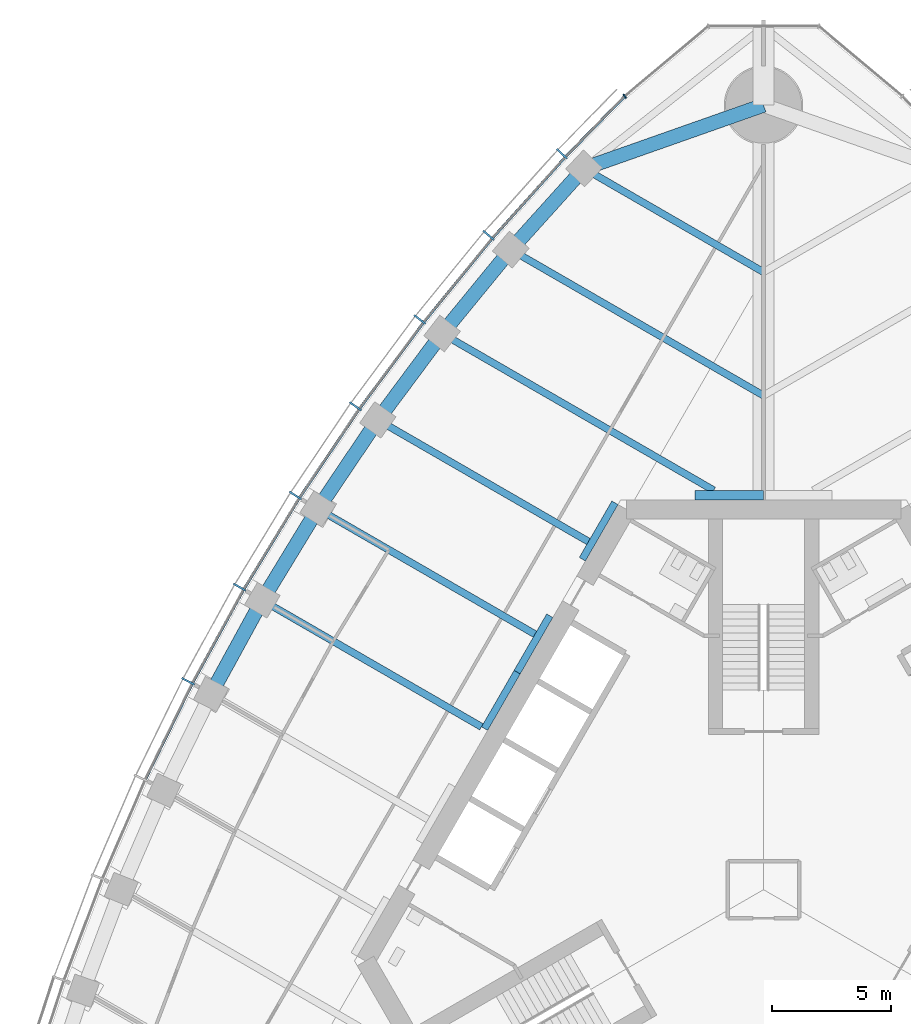
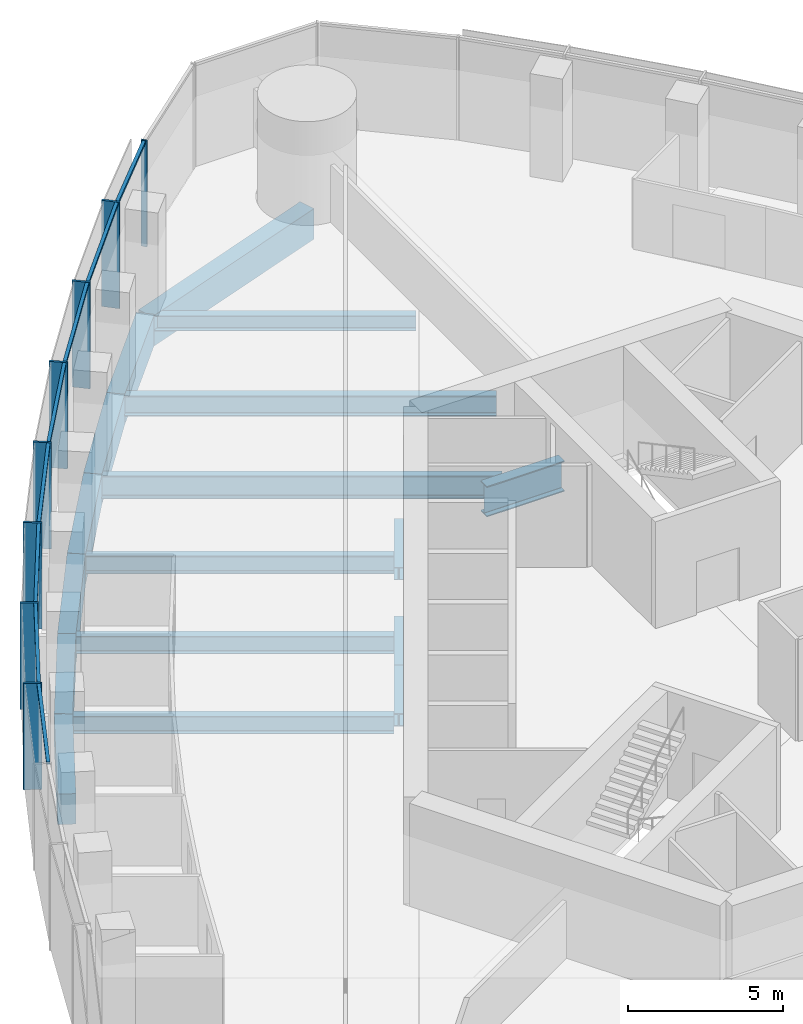
# One storey, part 5 of 20: 17 beams, 16 members, 2 elements without a shape of their own.
"""IFC4 building model written with IfcOpenShell, lengths in metres."""

import ifcopenshell
import ifcopenshell.guid

model = None  # the IFC model being written
_history = None  # IfcOwnerHistory: only IFC2X3 demands one
_inside = {}  # id of a spatial element -> (the spatial element, [elements in it])
_under = {}  # id of a project, library or spatial element -> (it, [spatial elements below it])
_declared = {}  # id of a project -> (the project, [libraries it declares])
_typed = {}  # id of a type object -> (the type object, [elements of that type])
_made_of = {}  # id of a material, layer set ... -> (it, [elements and type objects made of it])


def new_model(schema):
    """Start an empty IFC model of exactly this schema.

    Asked for "IFC4X3", IfcOpenShell would pick the latest addendum, in which some entities
    have other attributes; the version numbers below select the first issue.
    IFC2X3 requires an IfcOwnerHistory on every rooted entity: one is made here for all.
    """
    global model, _history
    if schema == "IFC4X3":
        model = ifcopenshell.file(schema_version=(4, 3, 0, 0))
    else:
        model = ifcopenshell.file(schema=schema)
    _inside.clear()
    _under.clear()
    _declared.clear()
    _typed.clear()
    _made_of.clear()
    _history = None
    if model.schema == "IFC2X3":
        org = make("IfcOrganization", Name="unknown")
        user = make(
            "IfcPersonAndOrganization",
            ThePerson=make("IfcPerson", FamilyName="unknown"),
            TheOrganization=org,
        )
        app = make(
            "IfcApplication",
            ApplicationDeveloper=org,
            Version="unknown",
            ApplicationFullName="unknown",
            ApplicationIdentifier="unknown",
        )
        _history = make(
            "IfcOwnerHistory",
            OwningUser=user,
            OwningApplication=app,
            ChangeAction="ADDED",
            CreationDate=0,
        )
    return model


def make(cls, **values):
    """One entity of the class cls with the attributes given. An attribute that is None is left unset."""
    return model.create_entity(
        cls, **{name: value for name, value in values.items() if value is not None}
    )


def rooted(cls, **values):
    """An entity with a GlobalId (a new one), such as an element, a storey or a relation."""
    return make(cls, GlobalId=ifcopenshell.guid.new(), OwnerHistory=_history, **values)


def si_unit(unit_type, name, prefix=None):
    """IfcSIUnit, for example si_unit("LENGTHUNIT", "METRE", prefix="MILLI")."""
    return make("IfcSIUnit", UnitType=unit_type, Prefix=prefix, Name=name)


def assignment(units):
    """IfcUnitAssignment: the units of a project."""
    return None if units is None else make("IfcUnitAssignment", Units=units)


def point(xyz):
    """IfcCartesianPoint."""
    return None if xyz is None else make("IfcCartesianPoint", Coordinates=xyz)


def direction(xyz):
    """IfcDirection."""
    return None if xyz is None else make("IfcDirection", DirectionRatios=xyz)


def frame(location, z_axis=None, x_axis=None):
    """IfcAxis2Placement3D, a coordinate frame: its origin and axes. An axis left out is left unset."""
    return make(
        "IfcAxis2Placement3D",
        Location=point(location),
        Axis=direction(z_axis),
        RefDirection=direction(x_axis),
    )


def frame_2d(location, x_axis=None):
    """IfcAxis2Placement2D, a coordinate frame in the plane: its origin and x axis."""
    return make(
        "IfcAxis2Placement2D", Location=point(location), RefDirection=direction(x_axis)
    )


def origin():
    """The frame at (0, 0, 0) with its axes left unset."""
    return frame((0.0, 0.0, 0.0))


def origin_2d():
    """The frame at (0, 0) in the plane with its x axis left unset."""
    return frame_2d((0.0, 0.0))


def place(relative_to, where):
    """IfcLocalPlacement: puts the frame where relative to a parent placement (None: the world)."""
    return make(
        "IfcLocalPlacement", PlacementRelTo=relative_to, RelativePlacement=where
    )


def context(
    kind, dimensions, precision=None, world=None, true_north=None, identifier=None
):
    """IfcGeometricRepresentationContext, for example the 3D "Model" context."""
    return make(
        "IfcGeometricRepresentationContext",
        ContextIdentifier=identifier,
        ContextType=kind,
        CoordinateSpaceDimension=dimensions,
        Precision=precision,
        WorldCoordinateSystem=world,
        TrueNorth=true_north,
    )


def subcontext(parent, identifier, kind, view, scale=None):
    """IfcGeometricRepresentationSubContext, for example "Body" below "Model"."""
    return make(
        "IfcGeometricRepresentationSubContext",
        ContextIdentifier=identifier,
        ContextType=kind,
        ParentContext=parent,
        TargetScale=scale,
        TargetView=view,
    )


def project(units=None, contexts=None):
    """IfcProject with its units and contexts."""
    return rooted(
        "IfcProject",
        Name="project",
        RepresentationContexts=contexts,
        UnitsInContext=assignment(units),
    )


def spatial(cls, under=None, at=None, **own):
    """A site, building, storey or space (cls), placed at a placement, below another one or the project."""
    s = rooted(cls, ObjectPlacement=at, **own)
    if under is not None:
        _under.setdefault(under.id(), (under, []))[1].append(s)
    return s


def profile(cls, at=None, kind="AREA", **sizes):
    """A parametric profile (cls). Its sizes go by their IFC names, for example OverallWidth=200.0."""
    return make(cls, ProfileType=kind, Position=at, **sizes)


def rectangle(**sizes):
    """IfcRectangleProfileDef."""
    return profile("IfcRectangleProfileDef", **sizes)


def i_section(**sizes):
    """IfcIShapeProfileDef."""
    return profile("IfcIShapeProfileDef", **sizes)


def extrude(swept, where, along, depth):
    """IfcExtrudedAreaSolid: the profile swept, set in the frame where, extruded along a direction by depth."""
    return make(
        "IfcExtrudedAreaSolid",
        SweptArea=swept,
        Position=where,
        ExtrudedDirection=direction(along),
        Depth=depth,
    )


def shape(context_of_items, identifier, shape_type, items):
    """IfcShapeRepresentation: the items that make up one representation, for example the "Body"."""
    return make(
        "IfcShapeRepresentation",
        ContextOfItems=context_of_items,
        RepresentationIdentifier=identifier,
        RepresentationType=shape_type,
        Items=items,
    )


def material(Name=None, Category=None):
    """IfcMaterial."""
    return make("IfcMaterial", Name=Name, Category=Category)


def material_profile(
    of_material, cross_section, Name=None, Category=None, Priority=None
):
    """IfcMaterialProfile: a cross section and its material."""
    return make(
        "IfcMaterialProfile",
        Name=Name,
        Material=of_material,
        Profile=cross_section,
        Priority=Priority,
        Category=Category,
    )


def profile_set(profiles, Name=None, composite=None):
    """IfcMaterialProfileSet."""
    return make(
        "IfcMaterialProfileSet",
        Name=Name,
        MaterialProfiles=profiles,
        CompositeProfile=composite,
    )


def made_of(thing, what):
    """Note that an element or type object is made of a material, layer set ...; save() writes the relation."""
    if what is not None:
        _made_of.setdefault(what.id(), (what, []))[1].append(thing)
    return thing


def type_object(cls, material=None, **own):
    """A type object (cls), such as IfcWallType, which elements share."""
    return made_of(rooted(cls, **own), material)


def element(
    cls,
    number,
    at=None,
    inside=None,
    cuts=None,
    type_object=None,
    material=None,
    context=None,
    identifier="Body",
    shape_type=None,
    held_by="IfcProductDefinitionShape",
    body=None,
    shapes=None,
    **own,
):
    """One element of the class cls, such as IfcWall. Its Tag is "e" and its number.

    at: its placement. inside: the storey or other place that contains it. cuts: it is an
    opening in that element (IfcRelVoidsElement). A single representation is given by context,
    identifier, shape_type and body (its items); several are given by shapes. held_by: the class
    of the entity that holds the representations. save() writes the other relations.
    """
    e = rooted(cls, Tag="e%d" % number, ObjectPlacement=at, **own)
    if body is not None:
        shapes = [shape(context, identifier, shape_type, body)]
    if shapes is not None:
        e.Representation = make(held_by, Representations=shapes)
    if inside is not None:
        _inside.setdefault(inside.id(), (inside, []))[1].append(e)
    if cuts is not None:
        rooted(
            "IfcRelVoidsElement", RelatingBuildingElement=cuts, RelatedOpeningElement=e
        )
    if type_object is not None:
        _typed.setdefault(type_object.id(), (type_object, []))[1].append(e)
    return made_of(e, material)


def aggregate(whole, parts):
    """IfcRelAggregates: a whole, such as a stair, and the parts it consists of."""
    return rooted("IfcRelAggregates", RelatingObject=whole, RelatedObjects=parts)


def save(model, path):
    """Write the relations noted so far, then the file.

    IfcRelAggregates (storeys below a building ...), IfcRelContainedInSpatialStructure (elements
    in a storey), IfcRelDefinesByType, IfcRelAssociatesMaterial and IfcRelDeclares: one each for
    every whole, place, type object, material and project.
    """
    for whole, parts in _under.values():
        aggregate(whole, parts)
    for where, things in _inside.values():
        rooted(
            "IfcRelContainedInSpatialStructure",
            RelatedElements=things,
            RelatingStructure=where,
        )
    for kind, things in _typed.values():
        rooted("IfcRelDefinesByType", RelatedObjects=things, RelatingType=kind)
    for what, things in _made_of.values():
        rooted("IfcRelAssociatesMaterial", RelatedObjects=things, RelatingMaterial=what)
    for by, libraries in _declared.values():
        rooted("IfcRelDeclares", RelatingContext=by, RelatedDefinitions=libraries)
    model.write(path)


model = new_model("IFC4")

# Units and contexts
model_context = context("Model", 3, precision=1e-05, world=origin(), true_north=direction((0.0, 1.0)))
body_context = subcontext(model_context, "Body", "Model", "MODEL_VIEW")
ifc_project = project(units=[si_unit("LENGTHUNIT", "METRE"), si_unit("AREAUNIT", "SQUARE_METRE"), si_unit("VOLUMEUNIT", "CUBIC_METRE"), si_unit("PLANEANGLEUNIT", "RADIAN"), si_unit("MASSUNIT", "GRAM", prefix="KILO")], contexts=[model_context])

# Site, building, storey
site_placement = place(None, origin())
site = spatial("IfcSite", under=ifc_project, at=site_placement, CompositionType="ELEMENT")
building_placement = place(site_placement, origin())
building = spatial("IfcBuilding", under=site, at=building_placement, Name="Trefoil Bronze Tower", CompositionType="ELEMENT")
storey_placement = place(building_placement, frame((0.0, 0.0, 219.10009765625)))
storey = spatial("IfcBuildingStorey", under=building, at=storey_placement, Name="L50", CompositionType="ELEMENT", Elevation=219.10009765625)

# Curtain wall, members
ifc_material_1 = material(Name="Tinted solar-control glass", Category="glass")
curtain_wall_type_1 = type_object("IfcCurtainWallType", Name="Bronze office curtain wall", PredefinedType="USERDEFINED", material=ifc_material_1)
curtain_wall_1_placement = place(storey_placement, origin())
curtain_wall_1 = element("IfcCurtainWall", 1, at=curtain_wall_1_placement, inside=storey, type_object=curtain_wall_type_1, Name="CW-A L50 F3", ObjectType="CURTAIN WALL", PredefinedType="USERDEFINED")
ifc_material_2 = material(Name="Bronze-finish aluminium", Category="aluminium")
ifc_material_profile_1 = material_profile(ifc_material_2, rectangle(XDim=0.60009765625, YDim=0.080078125, at=origin_2d()), Name="CW-A mullion")
ifc_profile_set_1 = profile_set([ifc_material_profile_1], Name="Bronze-finish aluminium")
member_type_1 = type_object("IfcMemberType", Name="Bronze office curtain wall mullion", PredefinedType="MULLION", material=ifc_profile_set_1)
member_1_placement = place(storey_placement, frame((-8.482177734375, 30.95654296875, 0.0), z_axis=(0.0, 0.0, 1.0), x_axis=(0.729859580661, -0.683597098091, 0.0)))
member_1 = element("IfcMember", 2, at=member_1_placement, type_object=member_type_1, Name="CW-A L50 F3 mullion 2", PredefinedType="MULLION", context=body_context, shape_type="SweptSolid", body=[
    extrude(rectangle(XDim=0.60009765625, YDim=0.080078125, at=origin_2d()), origin(), (0.0, 0.0, 1.0), 4.179931640625),
])
member_2_placement = place(storey_placement, frame((-11.564697265625, 27.525146484375, 0.0), z_axis=(0.0, 0.0, 1.0), x_axis=(0.75935470958, -0.650676897576, 0.0)))
member_2 = element("IfcMember", 3, at=member_2_placement, type_object=member_type_1, Name="CW-A L50 F3 mullion 3", PredefinedType="MULLION", context=body_context, shape_type="SweptSolid", body=[
    extrude(rectangle(XDim=0.60009765625, YDim=0.080078125, at=origin_2d()), origin(), (0.0, 0.0, 1.0), 4.179931640625),
])
member_3_placement = place(storey_placement, frame((-14.45849609375, 23.98388671875, 0.0), z_axis=(0.0, 0.0, 1.0), x_axis=(0.788821461078, -0.614622406476, 0.0)))
member_3 = element("IfcMember", 4, at=member_3_placement, type_object=member_type_1, Name="CW-A L50 F3 mullion 4", PredefinedType="MULLION", context=body_context, shape_type="SweptSolid", body=[
    extrude(rectangle(XDim=0.60009765625, YDim=0.080078125, at=origin_2d()), origin(), (0.0, 0.0, 1.0), 4.179931640625),
])
member_4_placement = place(storey_placement, frame((-17.167236328125, 20.335693359375, 0.0), z_axis=(0.0, 0.0, 1.0), x_axis=(0.81640398396, -0.577481198806, 0.0)))
member_4 = element("IfcMember", 5, at=member_4_placement, type_object=member_type_1, Name="CW-A L50 F3 mullion 5", PredefinedType="MULLION", context=body_context, shape_type="SweptSolid", body=[
    extrude(rectangle(XDim=0.60009765625, YDim=0.080078125, at=origin_2d()), origin(), (0.0, 0.0, 1.0), 4.179931640625),
])
member_5_placement = place(storey_placement, frame((-19.694091796875, 16.58251953125, 0.0), z_axis=(0.0, 0.0, 1.0), x_axis=(0.842132664593, -0.539270410114, 0.0)))
member_5 = element("IfcMember", 6, at=member_5_placement, type_object=member_type_1, Name="CW-A L50 F3 mullion 6", PredefinedType="MULLION", context=body_context, shape_type="SweptSolid", body=[
    extrude(rectangle(XDim=0.60009765625, YDim=0.080078125, at=origin_2d()), origin(), (0.0, 0.0, 1.0), 4.179931640625),
])
member_6_placement = place(storey_placement, frame((-22.041015625, 12.725341796875, 0.0), z_axis=(0.0, 0.0, 1.0), x_axis=(0.866025403784, -0.5, 0.0)))
member_6 = element("IfcMember", 7, at=member_6_placement, type_object=member_type_1, Name="CW-A L50 F3 mullion 7", PredefinedType="MULLION", context=body_context, shape_type="SweptSolid", body=[
    extrude(rectangle(XDim=0.60009765625, YDim=0.080078125, at=origin_2d()), origin(), (0.0, 0.0, 1.0), 4.179931640625),
])
member_7_placement = place(storey_placement, frame((-24.2080078125, 8.764404296875, 0.0), z_axis=(0.0, 0.0, 1.0), x_axis=(0.888088206965, -0.459673075837, 0.0)))
member_7 = element("IfcMember", 8, at=member_7_placement, type_object=member_type_1, Name="CW-A L50 F3 mullion 8", PredefinedType="MULLION", context=body_context, shape_type="SweptSolid", body=[
    extrude(rectangle(XDim=0.60009765625, YDim=0.080078125, at=origin_2d()), origin(), (0.0, 0.0, 1.0), 4.179931640625),
])
ifc_material_3 = material(Name="Bronze-finish aluminium", Category="aluminium")
ifc_material_profile_2 = material_profile(ifc_material_3, rectangle(XDim=0.1201171875, YDim=0.10009765625, at=origin_2d()), Name="CW-A transom")
ifc_profile_set_2 = profile_set([ifc_material_profile_2], Name="Bronze-finish aluminium")
member_type_2 = type_object("IfcMemberType", Name="Bronze office curtain wall transom", PredefinedType="USERDEFINED", material=ifc_profile_set_2)
member_8_placement = place(storey_placement, frame((-5.873046875, 33.342529296875, 4.1298828125), z_axis=(-0.698646935368, -0.715466602785, 0.0), x_axis=(0.715466602785, -0.698646935368, 0.0)))
member_8 = element("IfcMember", 9, at=member_8_placement, type_object=member_type_2, Name="CW-A L50 F3 transom 1", ObjectType="TRANSOM", PredefinedType="USERDEFINED", context=body_context, shape_type="SweptSolid", body=[
    extrude(rectangle(XDim=0.1201171875, YDim=0.10009765625, at=origin_2d()), origin(), (0.0, 0.0, 1.0), 3.483642578125),
])
member_9_placement = place(storey_placement, frame((-8.364501953125, 30.78857421875, 4.1298828125), z_axis=(-0.66825109551, -0.743935799213, 0.0), x_axis=(0.743935799213, -0.66825109551, 0.0)))
member_9 = element("IfcMember", 10, at=member_9_placement, type_object=member_type_2, Name="CW-A L50 F3 transom 2", ObjectType="TRANSOM", PredefinedType="USERDEFINED", context=body_context, shape_type="SweptSolid", body=[
    extrude(rectangle(XDim=0.1201171875, YDim=0.10009765625, at=origin_2d()), origin(), (0.0, 0.0, 1.0), 4.519287109375),
])
member_10_placement = place(storey_placement, frame((-11.439453125, 27.3623046875, 4.1298828125), z_axis=(-0.632756871921, -0.774350528531, 0.0), x_axis=(0.774350528531, -0.632756871921, 0.0)))
member_10 = element("IfcMember", 11, at=member_10_placement, type_object=member_type_2, Name="CW-A L50 F3 transom 3", ObjectType="TRANSOM", PredefinedType="USERDEFINED", context=body_context, shape_type="SweptSolid", body=[
    extrude(rectangle(XDim=0.1201171875, YDim=0.10009765625, at=origin_2d()), origin(), (0.0, 0.0, 1.0), 4.4794921875),
])
member_11_placement = place(storey_placement, frame((-14.325927734375, 23.826904296875, 4.1298828125), z_axis=(-0.59614822717, -0.802874393191, 0.0), x_axis=(0.802874393191, -0.59614822717, 0.0)))
member_11 = element("IfcMember", 12, at=member_11_placement, type_object=member_type_2, Name="CW-A L50 F3 transom 4", ObjectType="TRANSOM", PredefinedType="USERDEFINED", context=body_context, shape_type="SweptSolid", body=[
    extrude(rectangle(XDim=0.1201171875, YDim=0.10009765625, at=origin_2d()), origin(), (0.0, 0.0, 1.0), 4.449951171875),
])
member_12_placement = place(storey_placement, frame((-17.027587890625, 20.18505859375, 4.1298828125), z_axis=(-0.558509087547, -0.829498402125, 0.0), x_axis=(0.829498402125, -0.558509087547, 0.0)))
member_12 = element("IfcMember", 13, at=member_12_placement, type_object=member_type_2, Name="CW-A L50 F3 transom 5", ObjectType="TRANSOM", PredefinedType="USERDEFINED", context=body_context, shape_type="SweptSolid", body=[
    extrude(rectangle(XDim=0.1201171875, YDim=0.10009765625, at=origin_2d()), origin(), (0.0, 0.0, 1.0), 4.4306640625),
])
member_13_placement = place(storey_placement, frame((-19.5478515625, 16.4384765625, 4.1298828125), z_axis=(-0.519740214649, -0.854324358354, 0.0), x_axis=(0.854324358354, -0.519740214649, 0.0)))
member_13 = element("IfcMember", 14, at=member_13_placement, type_object=member_type_2, Name="CW-A L50 F3 transom 6", ObjectType="TRANSOM", PredefinedType="USERDEFINED", context=body_context, shape_type="SweptSolid", body=[
    extrude(rectangle(XDim=0.1201171875, YDim=0.10009765625, at=origin_2d()), origin(), (0.0, 0.0, 1.0), 4.421142578125),
])
member_14_placement = place(storey_placement, frame((-21.887939453125, 12.588134765625, 4.1298828125), z_axis=(-0.479973729071, -0.877282861683, 0.0), x_axis=(0.877282861683, -0.479973729071, 0.0)))
member_14 = element("IfcMember", 15, at=member_14_placement, type_object=member_type_2, Name="CW-A L50 F3 transom 7", ObjectType="TRANSOM", PredefinedType="USERDEFINED", context=body_context, shape_type="SweptSolid", body=[
    extrude(rectangle(XDim=0.1201171875, YDim=0.10009765625, at=origin_2d()), origin(), (0.0, 0.0, 1.0), 4.421142578125),
])
member_15_placement = place(storey_placement, frame((-24.048828125, 8.634521484375, 4.1298828125), z_axis=(-0.439150835991, -0.898413347657, 0.0), x_axis=(0.898413347657, -0.439150835991, 0.0)))
member_15 = element("IfcMember", 16, at=member_15_placement, type_object=member_type_2, Name="CW-A L50 F3 transom 8", ObjectType="TRANSOM", PredefinedType="USERDEFINED", context=body_context, shape_type="SweptSolid", body=[
    extrude(rectangle(XDim=0.1201171875, YDim=0.10009765625, at=origin_2d()), origin(), (0.0, 0.0, 1.0), 4.430908203125),
])
aggregate(curtain_wall_1, [member_1, member_2, member_3, member_4, member_5, member_6, member_7, member_8, member_9, member_10, member_11, member_12, member_13, member_14, member_15])

# Curtain wall, member
ifc_material_4 = material(Name="Tinted solar-control glass", Category="glass")
curtain_wall_type_2 = type_object("IfcCurtainWallType", Name="Bronze rounded corner curtain wall", PredefinedType="USERDEFINED", material=ifc_material_4)
curtain_wall_2_placement = place(storey_placement, origin())
curtain_wall_2 = element("IfcCurtainWall", 17, at=curtain_wall_2_placement, inside=storey, type_object=curtain_wall_type_2, Name="CW-B L50 K2", ObjectType="CURTAIN WALL", PredefinedType="USERDEFINED")
ifc_material_5 = material(Name="Bronze-finish aluminium", Category="aluminium")
ifc_material_profile_3 = material_profile(ifc_material_5, rectangle(XDim=0.199951171875, YDim=0.06005859375, at=origin_2d()), Name="CW-B mullion")
ifc_profile_set_3 = profile_set([ifc_material_profile_3], Name="Bronze-finish aluminium")
member_type_3 = type_object("IfcMemberType", Name="Bronze rounded corner curtain wall mullion", PredefinedType="MULLION", material=ifc_profile_set_3)
member_16_placement = place(storey_placement, frame((-5.837890625, 33.3779296875, 0.0), z_axis=(0.0, 0.0, 1.0), x_axis=(0.642787609687, -0.766044443119, 0.0)))
member_16 = element("IfcMember", 18, at=member_16_placement, type_object=member_type_3, Name="CW-B L50 K2 mullion 4", PredefinedType="MULLION", context=body_context, shape_type="SweptSolid", body=[
    extrude(rectangle(XDim=0.199951171875, YDim=0.06005859375, at=origin_2d()), origin(), (0.0, 0.0, 1.0), 4.179931640625),
])
aggregate(curtain_wall_2, [member_16])

# Beams
ifc_material_6 = material(Name="Steel C355", Category="steel")
ifc_material_profile_4 = material_profile(ifc_material_6, i_section(OverallWidth=0.300048828125, OverallDepth=0.5, WebThickness=0.014404296875, FlangeThickness=0.028076171875, FilletRadius=0.027099609375, at=origin_2d()), Name="HEB 500")
ifc_profile_set_4 = profile_set([ifc_material_profile_4], Name="Steel C355")
beam_type_1 = type_object("IfcBeamType", Name="Core seat beam HEB 500", PredefinedType="BEAM", material=ifc_profile_set_4)
for number, where, z_axis, x_axis, name in (
    (19, (-6.249755859375, 16.27490234375, -0.4501953125), (-0.500035825175, -0.866004719122, 0.0), (0.866004719122, -0.500035825175, 0.0), "Core seat beam F3/-2 L50"),
    (20, (-8.9921875, 11.52490234375, -0.4501953125), (-0.500035825175, -0.866004719122, 0.0), (0.866004719122, -0.500035825175, 0.0), "Core seat beam F3/-1 L50"),
    (21, (-10.363525390625, 9.14990234375, -0.4501953125), (-0.499969057507, -0.866043267704, 0.0), (0.866043267704, -0.499969057507, 0.0), "Core seat beam F3/+0 L50"),
):
    element("IfcBeam", number, at=place(storey_placement, frame(where, z_axis=z_axis, x_axis=x_axis)), inside=storey, type_object=beam_type_1, Name=name, PredefinedType="BEAM", context=body_context, shape_type="SweptSolid", body=[
        extrude(i_section(OverallWidth=0.300048828125, OverallDepth=0.5, WebThickness=0.014404296875, FlangeThickness=0.028076171875, FilletRadius=0.027099609375, at=origin_2d()), origin(), (0.0, 0.0, 1.0), 2.742431640625),
    ])
ifc_material_7 = material(Name="Steel C355", Category="steel")
ifc_material_profile_5 = material_profile(ifc_material_7, i_section(OverallWidth=0.39990234375, OverallDepth=1.199951171875, WebThickness=0.02001953125, FlangeThickness=0.0400390625, FilletRadius=0.010009765625, at=origin_2d()), Name="WPG 1200")
ifc_profile_set_5 = profile_set([ifc_material_profile_5], Name="Steel C355")
beam_type_2 = type_object("IfcBeamType", Name="Core seat beam WPG 1200", PredefinedType="BEAM", material=ifc_profile_set_5)
beam_1_placement = place(storey_placement, frame((0.0, 16.60009765625, -0.800048828125), z_axis=(-1.0, 0.0, 0.0), x_axis=(0.0, -1.0, 0.0)))
element("IfcBeam", 22, at=beam_1_placement, inside=storey, type_object=beam_type_2, Name="Core seat beam F3/-3 L50", PredefinedType="BEAM", context=body_context, shape_type="SweptSolid", body=[
    extrude(i_section(OverallWidth=0.39990234375, OverallDepth=1.199951171875, WebThickness=0.02001953125, FlangeThickness=0.0400390625, FilletRadius=0.010009765625, at=origin_2d()), origin(), (0.0, 0.0, 1.0), 2.88671875),
])
ifc_material_8 = material(Name="Concrete B80", Category="concrete")
ifc_material_profile_6 = material_profile(ifc_material_8, rectangle(XDim=0.60009765625, YDim=1.199951171875, at=origin_2d()), Name="RC 600x1200")
ifc_profile_set_6 = profile_set([ifc_material_profile_6], Name="Concrete B80")
beam_type_3 = type_object("IfcBeamType", Name="End spandrel beam RC 600x1200", PredefinedType="SPANDREL", material=ifc_profile_set_6)
beam_2_placement = place(storey_placement, frame((0.0, 33.0, -0.800048828125), z_axis=(-0.943234397359, -0.332127794137, 0.0), x_axis=(0.332127794137, -0.943234397359, 0.0)))
element("IfcBeam", 23, at=beam_2_placement, inside=storey, type_object=beam_type_3, Name="Spandrel F3.1 L50", PredefinedType="SPANDREL", context=body_context, shape_type="SweptSolid", body=[
    extrude(rectangle(XDim=0.60009765625, YDim=1.199951171875, at=origin_2d()), origin(), (0.0, 0.0, 1.0), 8.006591796875),
])
ifc_material_9 = material(Name="Steel C355", Category="steel")
ifc_material_profile_7 = material_profile(ifc_material_9, i_section(OverallWidth=0.300048828125, OverallDepth=0.590087890625, WebThickness=0.012939453125, FlangeThickness=0.02490234375, FilletRadius=0.027099609375, at=origin_2d()), Name="HEA 600")
ifc_profile_set_7 = profile_set([ifc_material_profile_7], Name="Steel C355")
beam_type_4 = type_object("IfcBeamType", Name="Floor beam HEA 600", PredefinedType="BEAM", material=ifc_profile_set_7)
beam_3_placement = place(storey_placement, frame((-7.552001953125, 30.3408203125, -0.4951171875), z_axis=(0.866027535932, -0.499996306993, 0.0), x_axis=(0.499996306993, 0.866027535932, 0.0)))
element("IfcBeam", 24, at=beam_3_placement, inside=storey, type_object=beam_type_4, Name="Floor beam F3/-5 L50", PredefinedType="BEAM", context=body_context, shape_type="SweptSolid", body=[
    extrude(i_section(OverallWidth=0.300048828125, OverallDepth=0.590087890625, WebThickness=0.012939453125, FlangeThickness=0.02490234375, FilletRadius=0.027099609375, at=origin_2d()), origin(), (0.0, 0.0, 1.0), 8.72021484375),
])
ifc_material_10 = material(Name="Steel C355", Category="steel")
ifc_material_profile_8 = material_profile(ifc_material_10, i_section(OverallWidth=0.300048828125, OverallDepth=0.699951171875, WebThickness=0.01708984375, FlangeThickness=0.031982421875, FilletRadius=0.027099609375, at=origin_2d()), Name="HEB 700")
ifc_profile_set_8 = profile_set([ifc_material_profile_8], Name="Steel C355")
beam_type_5 = type_object("IfcBeamType", Name="Floor beam HEB 700", PredefinedType="BEAM", material=ifc_profile_set_8)
beam_4_placement = place(storey_placement, frame((-16.2265625, 19.7607421875, -0.550048828125), z_axis=(0.866027856548, -0.499995751665, 0.0), x_axis=(0.499995751665, 0.866027856548, 0.0)))
element("IfcBeam", 25, at=beam_4_placement, inside=storey, type_object=beam_type_5, Name="Floor beam F3/-2 L50", PredefinedType="BEAM", context=body_context, shape_type="SweptSolid", body=[
    extrude(i_section(OverallWidth=0.300048828125, OverallDepth=0.699951171875, WebThickness=0.01708984375, FlangeThickness=0.031982421875, FilletRadius=0.027099609375, at=origin_2d()), origin(), (0.0, 0.0, 1.0), 10.23291015625),
])
beam_5_placement = place(storey_placement, frame((-18.748046875, 16.020263671875, -0.550048828125), z_axis=(0.866027918957, -0.499995643569, 0.0), x_axis=(0.499995643569, 0.866027918957, 0.0)))
element("IfcBeam", 26, at=beam_5_placement, inside=storey, type_object=beam_type_5, Name="Floor beam F3/-1 L50", PredefinedType="BEAM", context=body_context, shape_type="SweptSolid", body=[
    extrude(i_section(OverallWidth=0.300048828125, OverallDepth=0.699951171875, WebThickness=0.01708984375, FlangeThickness=0.031982421875, FilletRadius=0.027099609375, at=origin_2d()), origin(), (0.0, 0.0, 1.0), 10.54638671875),
])
beam_6_placement = place(storey_placement, frame((-21.08837890625, 12.17529296875, -0.550048828125), z_axis=(0.866034044198, -0.499985034066, 0.0), x_axis=(0.499985034066, 0.866034044198, 0.0)))
element("IfcBeam", 27, at=beam_6_placement, inside=storey, type_object=beam_type_5, Name="Floor beam F3/+0 L50", PredefinedType="BEAM", context=body_context, shape_type="SweptSolid", body=[
    extrude(i_section(OverallWidth=0.300048828125, OverallDepth=0.699951171875, WebThickness=0.01708984375, FlangeThickness=0.031982421875, FilletRadius=0.027099609375, at=origin_2d()), origin(), (0.0, 0.0, 1.0), 10.650634765625),
])
ifc_material_11 = material(Name="Steel C355", Category="steel")
ifc_material_profile_9 = material_profile(ifc_material_11, i_section(OverallWidth=0.300048828125, OverallDepth=0.800048828125, WebThickness=0.017578125, FlangeThickness=0.032958984375, FilletRadius=0.030029296875, at=origin_2d()), Name="HEB 800")
ifc_profile_set_9 = profile_set([ifc_material_profile_9], Name="Steel C355")
beam_type_6 = type_object("IfcBeamType", Name="Floor beam HEB 800", PredefinedType="BEAM", material=ifc_profile_set_9)
beam_7_placement = place(storey_placement, frame((-10.632080078125, 26.923095703125, -0.60009765625), z_axis=(0.866025635187, -0.499999599199, 0.0), x_axis=(0.499999599199, 0.866025635187, 0.0)))
element("IfcBeam", 28, at=beam_7_placement, inside=storey, type_object=beam_type_6, Name="Floor beam F3/-4 L50", PredefinedType="BEAM", context=body_context, shape_type="SweptSolid", body=[
    extrude(i_section(OverallWidth=0.300048828125, OverallDepth=0.800048828125, WebThickness=0.017578125, FlangeThickness=0.032958984375, FilletRadius=0.030029296875, at=origin_2d()), origin(), (0.0, 0.0, 1.0), 12.27685546875),
])
ifc_material_12 = material(Name="Steel C355", Category="steel")
ifc_material_profile_10 = material_profile(ifc_material_12, i_section(OverallWidth=0.300048828125, OverallDepth=0.89990234375, WebThickness=0.0185546875, FlangeThickness=0.034912109375, FilletRadius=0.030029296875, at=origin_2d()), Name="HEB 900")
ifc_profile_set_10 = profile_set([ifc_material_profile_10], Name="Steel C355")
beam_type_7 = type_object("IfcBeamType", Name="Floor beam HEB 900", PredefinedType="BEAM", material=ifc_profile_set_10)
beam_8_placement = place(storey_placement, frame((-13.522216796875, 23.3955078125, -0.650146484375), z_axis=(0.866028399451, -0.499994811317, 0.0), x_axis=(0.499994811317, 0.866028399451, 0.0)))
element("IfcBeam", 29, at=beam_8_placement, inside=storey, type_object=beam_type_7, Name="Floor beam F3/-3 L50", PredefinedType="BEAM", context=body_context, shape_type="SweptSolid", body=[
    extrude(i_section(OverallWidth=0.300048828125, OverallDepth=0.89990234375, WebThickness=0.0185546875, FlangeThickness=0.034912109375, FilletRadius=0.030029296875, at=origin_2d()), origin(), (0.0, 0.0, 1.0), 13.191162109375),
])
ifc_material_13 = material(Name="Concrete B80", Category="concrete")
ifc_material_profile_11 = material_profile(ifc_material_13, rectangle(XDim=0.60009765625, YDim=1.199951171875, at=origin_2d()), Name="RC 600x1200")
ifc_profile_set_11 = profile_set([ifc_material_profile_11], Name="Concrete B80")
beam_type_8 = type_object("IfcBeamType", Name="Spandrel beam RC 600x1200", PredefinedType="SPANDREL", material=ifc_profile_set_11)
beam_9_placement = place(storey_placement, frame((-7.552001953125, 30.3408203125, -0.800048828125), z_axis=(-0.669460045872, -0.742848064534, 0.0), x_axis=(0.742848064534, -0.669460045872, 0.0)))
element("IfcBeam", 30, at=beam_9_placement, inside=storey, type_object=beam_type_8, Name="Spandrel F3.2 L50", PredefinedType="SPANDREL", context=body_context, shape_type="SweptSolid", body=[
    extrude(rectangle(XDim=0.60009765625, YDim=1.199951171875, at=origin_2d()), origin(), (0.0, 0.0, 1.0), 4.600830078125),
])
beam_10_placement = place(storey_placement, frame((-10.632080078125, 26.923095703125, -0.800048828125), z_axis=(-0.633753657863, -0.773534938542, 0.0), x_axis=(0.773534938542, -0.633753657863, 0.0)))
element("IfcBeam", 31, at=beam_10_placement, inside=storey, type_object=beam_type_8, Name="Spandrel F3.3 L50", PredefinedType="SPANDREL", context=body_context, shape_type="SweptSolid", body=[
    extrude(rectangle(XDim=0.60009765625, YDim=1.199951171875, at=origin_2d()), origin(), (0.0, 0.0, 1.0), 4.560302734375),
])
beam_11_placement = place(storey_placement, frame((-13.522216796875, 23.3955078125, -0.800048828125), z_axis=(-0.596926078257, -0.802296240236, 0.0), x_axis=(0.802296240236, -0.596926078257, 0.0)))
element("IfcBeam", 32, at=beam_11_placement, inside=storey, type_object=beam_type_8, Name="Spandrel F3.4 L50", PredefinedType="SPANDREL", context=body_context, shape_type="SweptSolid", body=[
    extrude(rectangle(XDim=0.60009765625, YDim=1.199951171875, at=origin_2d()), origin(), (0.0, 0.0, 1.0), 4.530517578125),
])
beam_12_placement = place(storey_placement, frame((-16.2265625, 19.7607421875, -0.800048828125), z_axis=(-0.558964302753, -0.829191719838, 0.0), x_axis=(0.829191719838, -0.558964302753, 0.0)))
element("IfcBeam", 33, at=beam_12_placement, inside=storey, type_object=beam_type_8, Name="Spandrel F3.5 L50", PredefinedType="SPANDREL", context=body_context, shape_type="SweptSolid", body=[
    extrude(rectangle(XDim=0.60009765625, YDim=1.199951171875, at=origin_2d()), origin(), (0.0, 0.0, 1.0), 4.510986328125),
])
for number, where, z_axis, x_axis, name in (
    (34, (-18.748046875, 16.020263671875, -0.800048828125), (-0.519933181394, -0.854206934464, 0.0), (0.854206934464, -0.519933181394, 0.0), "Spandrel F3.6 L50"),
    (35, (-21.08837890625, 12.17529296875, -0.800048828125), (-0.479801903802, -0.87737684783, 0.0), (0.87737684783, -0.479801903802, 0.0), "Spandrel F3.7 L50"),
):
    element("IfcBeam", number, at=place(storey_placement, frame(where, z_axis=z_axis, x_axis=x_axis)), inside=storey, type_object=beam_type_8, Name=name, PredefinedType="SPANDREL", context=body_context, shape_type="SweptSolid", body=[
        extrude(rectangle(XDim=0.60009765625, YDim=1.199951171875, at=origin_2d()), origin(), (0.0, 0.0, 1.0), 4.501220703125),
    ])

save(model, "model.ifc")
